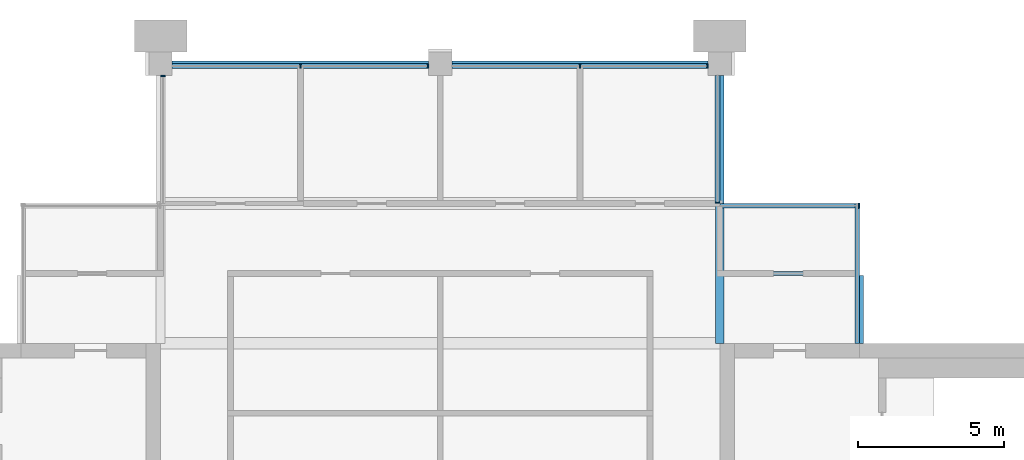
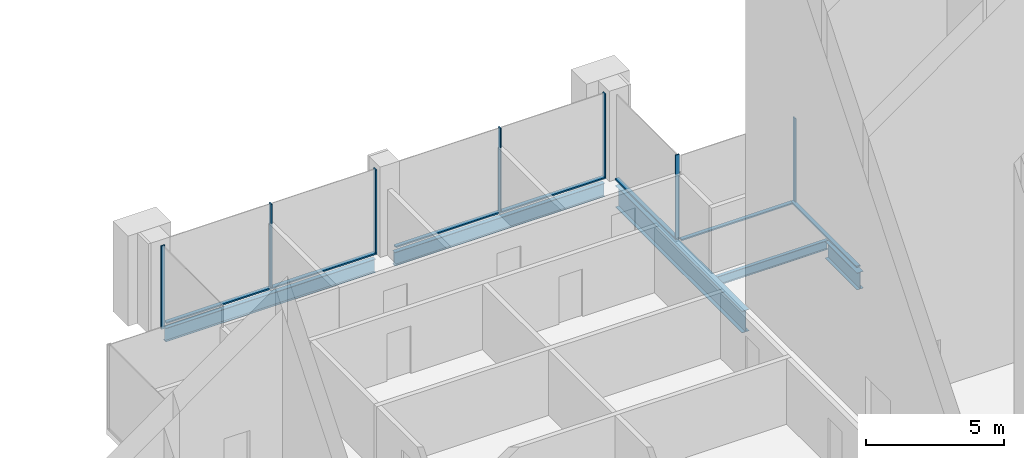
# One storey, part 7 of 12: 12 members, 5 beams, 6 elements without a shape of their own.
"""IFC4 building model written with IfcOpenShell, lengths in metres."""

from ifc_helpers import new_model, si_unit, direction, frame, origin, origin_2d, place, context, subcontext, project, spatial, rectangle, i_section, extrude, material, material_profile, profile_set, type_object, element, aggregate, save


model = new_model("IFC4")

# Units and contexts
model_context = context("Model", 3, precision=1e-05, world=origin(), true_north=direction((0.0, 1.0)))
body_context = subcontext(model_context, "Body", "Model", "MODEL_VIEW")
ifc_project = project(units=[si_unit("LENGTHUNIT", "METRE"), si_unit("AREAUNIT", "SQUARE_METRE"), si_unit("VOLUMEUNIT", "CUBIC_METRE"), si_unit("PLANEANGLEUNIT", "RADIAN"), si_unit("MASSUNIT", "GRAM", prefix="KILO")], contexts=[model_context])

# Site, building, storey
site_placement = place(None, origin())
site = spatial("IfcSite", under=ifc_project, at=site_placement, CompositionType="ELEMENT")
building_placement = place(site_placement, origin())
building = spatial("IfcBuilding", under=site, at=building_placement, Name="Baori Bourse Tower", CompositionType="ELEMENT")
storey_placement = place(building_placement, frame((0.0, 0.0, 374.300048828125)))
storey = spatial("IfcBuildingStorey", under=building, at=storey_placement, Name="L84", CompositionType="ELEMENT", Elevation=374.300048828125)

# Curtain wall, member
ifc_material_1 = material(Name="Pale anodised aluminium", Category="aluminium")
curtain_wall_type = type_object("IfcCurtainWallType", Name="CW3 Curtain wall", PredefinedType="NOTDEFINED", material=ifc_material_1)
curtain_wall_1_placement = place(storey_placement, origin())
curtain_wall_1 = element("IfcCurtainWall", 1, at=curtain_wall_1_placement, inside=storey, type_object=curtain_wall_type, Name="Curtain wall CW3 L84 3", PredefinedType="NOTDEFINED")
ifc_material_2 = material(Name="Pale anodised aluminium", Category="aluminium")
ifc_material_profile_1 = material_profile(ifc_material_2, rectangle(XDim=0.159912109375, YDim=0.050048828125, at=origin_2d()), Name="Mullion 50x160")
ifc_profile_set_1 = profile_set([ifc_material_profile_1], Name="Pale anodised aluminium")
member_type_1 = type_object("IfcMemberType", Name="CW3 Curtain wall mullion", PredefinedType="MULLION", material=ifc_profile_set_1)
member_1_placement = place(storey_placement, frame((43.175048828125, 43.1201171875, 0.06005859375), z_axis=(0.0, 0.0, 1.0), x_axis=(0.0, -1.0, 0.0)))
member_1 = element("IfcMember", 2, at=member_1_placement, type_object=member_type_1, Name="Curtain wall CW3 mullion", PredefinedType="MULLION", context=body_context, shape_type="SweptSolid", body=[
    extrude(rectangle(XDim=0.159912109375, YDim=0.050048828125, at=origin_2d()), origin(), (0.0, 0.0, 1.0), 3.68994140625),
])

curtain_wall_2_placement = place(storey_placement, origin())
curtain_wall_2 = element("IfcCurtainWall", 3, at=curtain_wall_2_placement, inside=storey, type_object=curtain_wall_type, Name="Curtain wall CW3 L84 4", PredefinedType="NOTDEFINED")
member_2_placement = place(storey_placement, frame((38.320068359375, 43.22509765625, 0.06005859375), z_axis=(0.0, 0.0, 1.0), x_axis=(-1.0, 0.0, 0.0)))
member_2 = element("IfcMember", 4, at=member_2_placement, type_object=member_type_1, Name="Curtain wall CW3 mullion", PredefinedType="MULLION", context=body_context, shape_type="SweptSolid", body=[
    extrude(rectangle(XDim=0.159912109375, YDim=0.050048828125, at=origin_2d()), origin(), (0.0, 0.0, 1.0), 3.68994140625),
])

# Curtain wall, members
curtain_wall_3_placement = place(storey_placement, origin())
curtain_wall_3 = element("IfcCurtainWall", 5, at=curtain_wall_3_placement, inside=storey, type_object=curtain_wall_type, Name="Curtain wall CW3 L84 5", PredefinedType="NOTDEFINED")
member_3_placement = place(storey_placement, frame((37.97509765625, 47.919921875, 0.06005859375), z_axis=(0.0, 0.0, 1.0), x_axis=(0.0, -1.0, 0.0)))
member_3 = element("IfcMember", 6, at=member_3_placement, type_object=member_type_1, Name="Curtain wall CW3 mullion", PredefinedType="MULLION", context=body_context, shape_type="SweptSolid", body=[
    extrude(rectangle(XDim=0.159912109375, YDim=0.050048828125, at=origin_2d()), origin(), (0.0, 0.0, 1.0), 3.68994140625),
])
member_4_placement = place(storey_placement, frame((33.60009765625, 47.919921875, 0.06005859375), z_axis=(0.0, 0.0, 1.0), x_axis=(0.0, -1.0, 0.0)))
member_4 = element("IfcMember", 7, at=member_4_placement, type_object=member_type_1, Name="Curtain wall CW3 mullion", PredefinedType="MULLION", context=body_context, shape_type="SweptSolid", body=[
    extrude(rectangle(XDim=0.159912109375, YDim=0.050048828125, at=origin_2d()), origin(), (0.0, 0.0, 1.0), 3.68994140625),
])

curtain_wall_4_placement = place(storey_placement, origin())
curtain_wall_4 = element("IfcCurtainWall", 8, at=curtain_wall_4_placement, inside=storey, type_object=curtain_wall_type, Name="Curtain wall CW3 L84 6", PredefinedType="NOTDEFINED")
member_5_placement = place(storey_placement, frame((28.375, 47.919921875, 0.06005859375), z_axis=(0.0, 0.0, 1.0), x_axis=(0.0, -1.0, 0.0)))
member_5 = element("IfcMember", 9, at=member_5_placement, type_object=member_type_1, Name="Curtain wall CW3 mullion", PredefinedType="MULLION", context=body_context, shape_type="SweptSolid", body=[
    extrude(rectangle(XDim=0.159912109375, YDim=0.050048828125, at=origin_2d()), origin(), (0.0, 0.0, 1.0), 3.68994140625),
])
member_6_placement = place(storey_placement, frame((24.0, 47.919921875, 0.06005859375), z_axis=(0.0, 0.0, 1.0), x_axis=(0.0, -1.0, 0.0)))
member_6 = element("IfcMember", 10, at=member_6_placement, type_object=member_type_1, Name="Curtain wall CW3 mullion", PredefinedType="MULLION", context=body_context, shape_type="SweptSolid", body=[
    extrude(rectangle(XDim=0.159912109375, YDim=0.050048828125, at=origin_2d()), origin(), (0.0, 0.0, 1.0), 3.68994140625),
])

# Curtain wall, member
curtain_wall_5_placement = place(storey_placement, origin())
curtain_wall_5 = element("IfcCurtainWall", 11, at=curtain_wall_5_placement, inside=storey, type_object=curtain_wall_type, Name="Curtain wall CW3 L84 7", PredefinedType="NOTDEFINED")
member_7_placement = place(storey_placement, frame((19.280029296875, 47.574951171875, 0.06005859375), z_axis=(0.0, 0.0, 1.0), x_axis=(1.0, 0.0, 0.0)))
member_7 = element("IfcMember", 12, at=member_7_placement, type_object=member_type_1, Name="Curtain wall CW3 mullion", PredefinedType="MULLION", context=body_context, shape_type="SweptSolid", body=[
    extrude(rectangle(XDim=0.159912109375, YDim=0.050048828125, at=origin_2d()), origin(), (0.0, 0.0, 1.0), 3.68994140625),
])
aggregate(curtain_wall_5, [member_7])

curtain_wall_6_placement = place(storey_placement, origin())
curtain_wall_6 = element("IfcCurtainWall", 13, at=curtain_wall_6_placement, inside=storey, type_object=curtain_wall_type, Name="Curtain wall CW3 L84 2", PredefinedType="NOTDEFINED")
ifc_material_3 = material(Name="Pale anodised aluminium", Category="aluminium")
ifc_material_profile_2 = material_profile(ifc_material_3, rectangle(XDim=0.159912109375, YDim=0.06005859375, at=origin_2d()), Name="Transom 60x160")
ifc_profile_set_2 = profile_set([ifc_material_profile_2], Name="Pale anodised aluminium")
member_type_2 = type_object("IfcMemberType", Name="CW3 Curtain wall transom", PredefinedType="USERDEFINED", material=ifc_profile_set_2)
member_8_placement = place(storey_placement, frame((43.1201171875, 38.39990234375, 0.030029296875), z_axis=(0.0, 1.0, 0.0), x_axis=(-1.0, 0.0, 0.0)))
member_8 = element("IfcMember", 14, at=member_8_placement, type_object=member_type_2, Name="Curtain wall CW3 sill rail", ObjectType="TRANSOM", PredefinedType="USERDEFINED", context=body_context, shape_type="SweptSolid", body=[
    extrude(rectangle(XDim=0.159912109375, YDim=0.06005859375, at=origin_2d()), origin(), (0.0, 0.0, 1.0), 4.800048828125),
])
aggregate(curtain_wall_6, [member_8])

# Member
member_9_placement = place(storey_placement, frame((43.199951171875, 43.1201171875, 0.030029296875), z_axis=(-1.0, 0.0, 0.0), x_axis=(0.0, -1.0, 0.0)))
member_9 = element("IfcMember", 15, at=member_9_placement, type_object=member_type_2, Name="Curtain wall CW3 sill rail", ObjectType="TRANSOM", PredefinedType="USERDEFINED", context=body_context, shape_type="SweptSolid", body=[
    extrude(rectangle(XDim=0.159912109375, YDim=0.06005859375, at=origin_2d()), origin(), (0.0, 0.0, 1.0), 4.800048828125),
])

aggregate(curtain_wall_1, [member_9, member_1])

member_10_placement = place(storey_placement, frame((38.320068359375, 43.199951171875, 0.030029296875), z_axis=(0.0, 1.0, 0.0), x_axis=(-1.0, 0.0, 0.0)))
member_10 = element("IfcMember", 16, at=member_10_placement, type_object=member_type_2, Name="Curtain wall CW3 sill rail", ObjectType="TRANSOM", PredefinedType="USERDEFINED", context=body_context, shape_type="SweptSolid", body=[
    extrude(rectangle(XDim=0.159912109375, YDim=0.06005859375, at=origin_2d()), origin(), (0.0, 0.0, 1.0), 4.400146484375),
])

aggregate(curtain_wall_2, [member_10, member_2])

member_11_placement = place(storey_placement, frame((38.0, 47.919921875, 0.030029296875), z_axis=(-1.0, 0.0, 0.0), x_axis=(0.0, -1.0, 0.0)))
member_11 = element("IfcMember", 17, at=member_11_placement, type_object=member_type_2, Name="Curtain wall CW3 sill rail", ObjectType="TRANSOM", PredefinedType="USERDEFINED", context=body_context, shape_type="SweptSolid", body=[
    extrude(rectangle(XDim=0.159912109375, YDim=0.06005859375, at=origin_2d()), origin(), (0.0, 0.0, 1.0), 8.800048828125),
])

aggregate(curtain_wall_3, [member_11, member_3, member_4])

member_12_placement = place(storey_placement, frame((28.39990234375, 47.919921875, 0.030029296875), z_axis=(-1.0, 0.0, 0.0), x_axis=(0.0, -1.0, 0.0)))
member_12 = element("IfcMember", 18, at=member_12_placement, type_object=member_type_2, Name="Curtain wall CW3 sill rail", ObjectType="TRANSOM", PredefinedType="USERDEFINED", context=body_context, shape_type="SweptSolid", body=[
    extrude(rectangle(XDim=0.159912109375, YDim=0.06005859375, at=origin_2d()), origin(), (0.0, 0.0, 1.0), 8.7998046875),
])

aggregate(curtain_wall_4, [member_12, member_5, member_6])

# Beams
ifc_material_4 = material(Name="Steel A992 Gr 50", Category="steel")
ifc_material_profile_3 = material_profile(ifc_material_4, i_section(OverallWidth=0.26416015625, OverallDepth=0.749267578125, WebThickness=0.011962890625, FlangeThickness=0.015380859375, at=origin_2d()), Name="W30x90")
ifc_profile_set_3 = profile_set([ifc_material_profile_3], Name="Steel A992 Gr 50")
beam_type_1 = type_object("IfcBeamType", Name="Core bracket W30x90", PredefinedType="BEAM", material=ifc_profile_set_3)
beam_1_placement = place(storey_placement, frame((43.199951171875, 38.39990234375, -0.624755859375), z_axis=(0.0, 1.0, 0.0), x_axis=(-1.0, 0.0, 0.0)))
element("IfcBeam", 19, at=beam_1_placement, inside=storey, type_object=beam_type_1, Name="Core bracket L84", PredefinedType="BEAM", context=body_context, shape_type="SweptSolid", body=[
    extrude(i_section(OverallWidth=0.26416015625, OverallDepth=0.749267578125, WebThickness=0.011962890625, FlangeThickness=0.015380859375, at=origin_2d()), origin(), (0.0, 0.0, 1.0), 2.329833984375),
])
ifc_material_5 = material(Name="Steel A992 Gr 50", Category="steel")
ifc_material_profile_4 = material_profile(ifc_material_5, i_section(OverallWidth=0.177978515625, OverallDepth=0.599365234375, WebThickness=0.010009765625, FlangeThickness=0.012939453125, at=origin_2d()), Name="W24x55")
ifc_profile_set_4 = profile_set([ifc_material_profile_4], Name="Steel A992 Gr 50")
beam_type_2 = type_object("IfcBeamType", Name="Edge beam W24x55", PredefinedType="BEAM", material=ifc_profile_set_4)
beam_2_placement = place(storey_placement, frame((19.60009765625, 48.0, -0.5498046875), z_axis=(1.0, 0.0, 0.0), x_axis=(0.0, 1.0, 0.0)))
element("IfcBeam", 20, at=beam_2_placement, inside=storey, type_object=beam_type_2, Name="Edge beam L84", PredefinedType="BEAM", context=body_context, shape_type="SweptSolid", body=[
    extrude(i_section(OverallWidth=0.177978515625, OverallDepth=0.599365234375, WebThickness=0.010009765625, FlangeThickness=0.012939453125, at=origin_2d()), origin(), (0.0, 0.0, 1.0), 8.7998046875),
])
beam_3_placement = place(storey_placement, frame((29.199951171875, 48.0, -0.5498046875), z_axis=(1.0, 0.0, 0.0), x_axis=(0.0, 1.0, 0.0)))
element("IfcBeam", 21, at=beam_3_placement, inside=storey, type_object=beam_type_2, Name="Edge beam L84", PredefinedType="BEAM", context=body_context, shape_type="SweptSolid", body=[
    extrude(i_section(OverallWidth=0.177978515625, OverallDepth=0.599365234375, WebThickness=0.010009765625, FlangeThickness=0.012939453125, at=origin_2d()), origin(), (0.0, 0.0, 1.0), 8.800048828125),
])
ifc_material_6 = material(Name="Steel A992 Gr 50", Category="steel")
ifc_material_profile_5 = material_profile(ifc_material_6, i_section(OverallWidth=0.2998046875, OverallDepth=0.97021484375, WebThickness=0.01611328125, FlangeThickness=0.02099609375, at=origin_2d()), Name="W40x149")
ifc_profile_set_5 = profile_set([ifc_material_profile_5], Name="Steel A992 Gr 50")
beam_type_3 = type_object("IfcBeamType", Name="Girder W40x149", PredefinedType="BEAM", material=ifc_profile_set_5)
beam_4_placement = place(storey_placement, frame((38.39990234375, 38.39990234375, -0.735107421875), z_axis=(0.0, 1.0, 0.0), x_axis=(-1.0, 0.0, 0.0)))
element("IfcBeam", 22, at=beam_4_placement, inside=storey, type_object=beam_type_3, Name="Girder L84", PredefinedType="BEAM", context=body_context, shape_type="SweptSolid", body=[
    extrude(i_section(OverallWidth=0.2998046875, OverallDepth=0.97021484375, WebThickness=0.01611328125, FlangeThickness=0.02099609375, at=origin_2d()), origin(), (0.0, 0.0, 1.0), 9.2001953125),
])
ifc_material_7 = material(Name="Steel A992 Gr 50", Category="steel")
ifc_material_profile_6 = material_profile(ifc_material_7, i_section(OverallWidth=0.140380859375, OverallDepth=0.40380859375, WebThickness=0.007080078125, FlangeThickness=0.01123046875, at=origin_2d()), Name="W16x31")
ifc_profile_set_6 = profile_set([ifc_material_profile_6], Name="Steel A992 Gr 50")
beam_type_4 = type_object("IfcBeamType", Name="Trimmer beam W16x31", PredefinedType="BEAM", material=ifc_profile_set_6)
beam_5_placement = place(storey_placement, frame((38.5498046875, 40.800048828125, -0.451904296875), z_axis=(1.0, 0.0, 0.0), x_axis=(0.0, 1.0, 0.0)))
element("IfcBeam", 23, at=beam_5_placement, inside=storey, type_object=beam_type_4, Name="Trimmer beam L84", PredefinedType="BEAM", context=body_context, shape_type="SweptSolid", body=[
    extrude(i_section(OverallWidth=0.140380859375, OverallDepth=0.40380859375, WebThickness=0.007080078125, FlangeThickness=0.01123046875, at=origin_2d()), origin(), (0.0, 0.0, 1.0), 4.650146484375),
])

save(model, "model.ifc")
